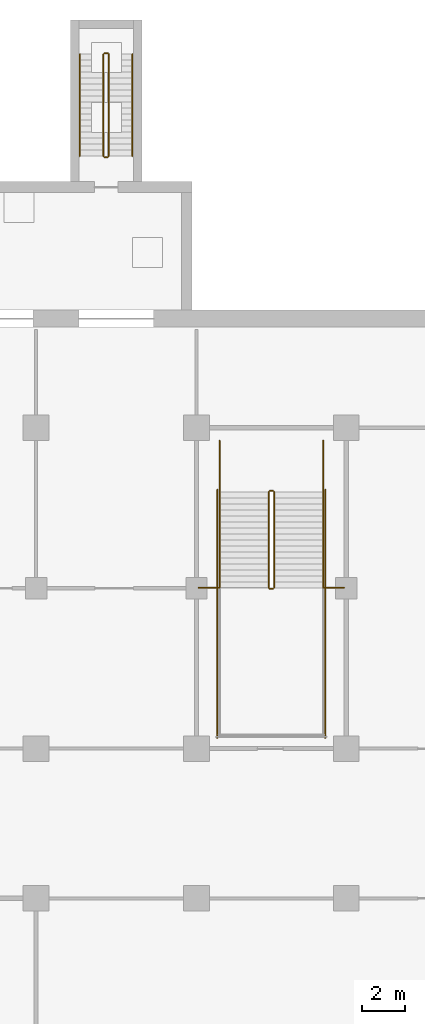
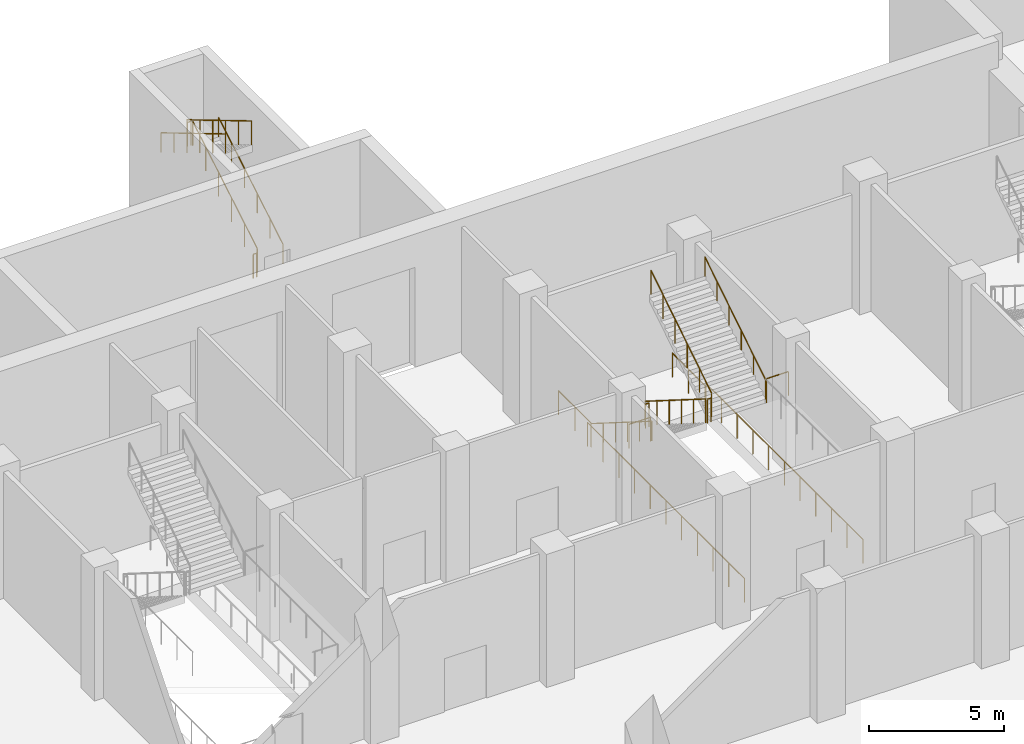
# One storey, part 36 of 45: 18 railings.
"""IFC4 building model written with IfcOpenShell, lengths in metres."""

from ifc_helpers import new_model, si_unit, direction, frame, origin, origin_2d, place, context, subcontext, project, spatial, circle, extrude, material, type_object, element, save


model = new_model("IFC4")

# Units and contexts
model_context = context("Model", 3, precision=1e-05, world=origin(), true_north=direction((0.0, 1.0)))
body_context = subcontext(model_context, "Body", "Model", "MODEL_VIEW")
ifc_project = project(units=[si_unit("LENGTHUNIT", "METRE"), si_unit("AREAUNIT", "SQUARE_METRE"), si_unit("VOLUMEUNIT", "CUBIC_METRE"), si_unit("PLANEANGLEUNIT", "RADIAN"), si_unit("MASSUNIT", "GRAM", prefix="KILO")], contexts=[model_context])

# Site, building, storey
site_placement = place(None, origin())
site = spatial("IfcSite", under=ifc_project, at=site_placement, CompositionType="ELEMENT")
building_placement = place(site_placement, origin())
building = spatial("IfcBuilding", under=site, at=building_placement, Name="Tamorin Gate", CompositionType="ELEMENT")
storey_placement = place(building_placement, frame((0.0, 0.0, -6.0)))
storey = spatial("IfcBuildingStorey", under=building, at=storey_placement, Name="B1", CompositionType="ELEMENT", Elevation=-6.0)

# Railings
ifc_material_1 = material(Name="Steel", Category="steel")
railing_type_1 = type_object("IfcRailingType", Name="Podium guard 1100", PredefinedType="GUARDRAIL", material=ifc_material_1)
railing_1_placement = place(storey_placement, frame((70.875, 109.0, 0.176513671875)))
element("IfcRailing", 1, at=railing_1_placement, inside=storey, type_object=railing_type_1, Name="B1 SB4 stair guard 1", PredefinedType="GUARDRAIL", context=body_context, shape_type="SweptSolid", body=[
    extrude(circle(Radius=0.02392578125, at=origin_2d()), frame((0.0, 0.0, 1.076171875), z_axis=(0.0, -0.845997938375, 0.533186166611), x_axis=(1.0, 0.0, 0.0)), (0.0, 0.0, 1.0), 5.29541015625),
    extrude(circle(Radius=0.02099609375, at=origin_2d()), origin(), (0.0, 0.0, 1.0), 1.052001953125),
    extrude(circle(Radius=0.02099609375, at=origin_2d()), frame((0.0, -0.89599609375, 0.564697265625)), (0.0, 0.0, 1.0), 1.052001953125),
    extrude(circle(Radius=0.02099609375, at=origin_2d()), frame((0.0, -1.7919921875, 1.12939453125)), (0.0, 0.0, 1.0), 1.052001953125),
    extrude(circle(Radius=0.02099609375, at=origin_2d()), frame((0.0, -2.68798828125, 1.694091796875)), (0.0, 0.0, 1.0), 1.052001953125),
    extrude(circle(Radius=0.02099609375, at=origin_2d()), frame((0.0, -3.583984375, 2.2587890625)), (0.0, 0.0, 1.0), 1.052001953125),
    extrude(circle(Radius=0.02099609375, at=origin_2d()), frame((0.0, -4.47998046875, 2.823486328125)), (0.0, 0.0, 1.0), 1.052001953125),
])
railing_2_placement = place(storey_placement, frame((70.925048828125, 104.469970703125, 3.0)))
element("IfcRailing", 2, at=railing_2_placement, inside=storey, type_object=railing_type_1, Name="B1 SB4 stair guard 2", PredefinedType="GUARDRAIL", context=body_context, shape_type="SweptSolid", body=[
    extrude(circle(Radius=0.02392578125, at=origin_2d()), frame((0.0, 0.0, 1.076171875), z_axis=(1.0, 0.0, 0.0), x_axis=(0.0, 1.0, 0.0)), (0.0, 0.0, 1.0), 0.14990234375),
    extrude(circle(Radius=0.02099609375, at=origin_2d()), origin(), (0.0, 0.0, 1.0), 1.052001953125),
    extrude(circle(Radius=0.02099609375, at=origin_2d()), frame((0.14990234375, 0.0, 0.0)), (0.0, 0.0, 1.0), 1.052001953125),
])
railing_3_placement = place(storey_placement, frame((71.125, 104.52001953125, 3.176513671875)))
element("IfcRailing", 3, at=railing_3_placement, inside=storey, type_object=railing_type_1, Name="B1 SB4 stair guard 6", PredefinedType="GUARDRAIL", context=body_context, shape_type="SweptSolid", body=[
    extrude(circle(Radius=0.02392578125, at=origin_2d()), frame((0.0, 0.0, 1.076171875), z_axis=(0.0, 0.845997938375, 0.533186166611), x_axis=(-1.0, 0.0, 0.0)), (0.0, 0.0, 1.0), 5.29541015625),
    extrude(circle(Radius=0.02099609375, at=origin_2d()), origin(), (0.0, 0.0, 1.0), 1.052001953125),
    extrude(circle(Radius=0.02099609375, at=origin_2d()), frame((0.0, 0.89599609375, 0.564697265625)), (0.0, 0.0, 1.0), 1.052001953125),
    extrude(circle(Radius=0.02099609375, at=origin_2d()), frame((0.0, 1.7919921875, 1.12939453125)), (0.0, 0.0, 1.0), 1.052001953125),
    extrude(circle(Radius=0.02099609375, at=origin_2d()), frame((0.0, 2.68798828125, 1.694091796875)), (0.0, 0.0, 1.0), 1.052001953125),
    extrude(circle(Radius=0.02099609375, at=origin_2d()), frame((0.0, 3.583984375, 2.2587890625)), (0.0, 0.0, 1.0), 1.052001953125),
    extrude(circle(Radius=0.02099609375, at=origin_2d()), frame((0.0, 4.47998046875, 2.823486328125)), (0.0, 0.0, 1.0), 1.052001953125),
])
railing_4_placement = place(storey_placement, frame((70.925048828125, 109.050048828125, 0.0)))
element("IfcRailing", 4, at=railing_4_placement, inside=storey, type_object=railing_type_1, Name="B1 SB4 stair guard 7", PredefinedType="GUARDRAIL", context=body_context, shape_type="SweptSolid", body=[
    extrude(circle(Radius=0.02392578125, at=origin_2d()), frame((0.0, 0.0, 1.076171875), z_axis=(1.0, 0.0, 0.0), x_axis=(0.0, 1.0, 0.0)), (0.0, 0.0, 1.0), 0.14990234375),
    extrude(circle(Radius=0.02099609375, at=origin_2d()), origin(), (0.0, 0.0, 1.0), 1.052001953125),
    extrude(circle(Radius=0.02099609375, at=origin_2d()), frame((0.14990234375, 0.0, 0.0)), (0.0, 0.0, 1.0), 1.052001953125),
])
for number, where, name in (
    (5, (68.574951171875, 111.39990234375, 0.0), "B1 SB4 stair guard 8"),
    (6, (73.425048828125, 111.39990234375, 0.0), "B1 SB4 stair guard 9"),
):
    element("IfcRailing", number, at=place(storey_placement, frame(where)), inside=storey, type_object=railing_type_1, Name=name, PredefinedType="GUARDRAIL", context=body_context, shape_type="SweptSolid", body=[
        extrude(circle(Radius=0.02392578125, at=origin_2d()), frame((0.0, 0.0, 1.076171875), z_axis=(0.0, -1.0, 0.0), x_axis=(1.0, 0.0, 0.0)), (0.0, 0.0, 1.0), 2.39990234375),
        extrude(circle(Radius=0.02099609375, at=origin_2d()), origin(), (0.0, 0.0, 1.0), 1.052001953125),
        extrude(circle(Radius=0.02099609375, at=origin_2d()), frame((0.0, -1.199951171875, 0.0)), (0.0, 0.0, 1.0), 1.052001953125),
        extrude(circle(Radius=0.02099609375, at=origin_2d()), frame((0.0, -2.39990234375, 0.0)), (0.0, 0.0, 1.0), 1.052001953125),
    ])
for number, where, name in (
    (7, (68.47509765625, 109.10009765625, 0.0), "B1 SB4 stair guard 10"),
    (8, (73.52490234375, 109.10009765625, 0.0), "B1 SB4 stair guard 11"),
):
    element("IfcRailing", number, at=place(storey_placement, frame(where)), inside=storey, type_object=railing_type_1, Name=name, PredefinedType="GUARDRAIL", context=body_context, shape_type="SweptSolid", body=[
        extrude(circle(Radius=0.02392578125, at=origin_2d()), frame((0.0, 0.0, 1.076171875), z_axis=(0.0, -1.0, 0.0), x_axis=(1.0, 0.0, 0.0)), (0.0, 0.0, 1.0), 11.60009765625),
        extrude(circle(Radius=0.02099609375, at=origin_2d()), origin(), (0.0, 0.0, 1.0), 1.052001953125),
        extrude(circle(Radius=0.02099609375, at=origin_2d()), frame((0.0, -1.159912109375, 0.0)), (0.0, 0.0, 1.0), 1.052001953125),
        extrude(circle(Radius=0.02099609375, at=origin_2d()), frame((0.0, -2.320068359375, 0.0)), (0.0, 0.0, 1.0), 1.052001953125),
        extrude(circle(Radius=0.02099609375, at=origin_2d()), frame((0.0, -3.47998046875, 0.0)), (0.0, 0.0, 1.0), 1.052001953125),
        extrude(circle(Radius=0.02099609375, at=origin_2d()), frame((0.0, -4.64013671875, 0.0)), (0.0, 0.0, 1.0), 1.052001953125),
        extrude(circle(Radius=0.02099609375, at=origin_2d()), frame((0.0, -5.800048828125, 0.0)), (0.0, 0.0, 1.0), 1.052001953125),
        extrude(circle(Radius=0.02099609375, at=origin_2d()), frame((0.0, -6.9599609375, 0.0)), (0.0, 0.0, 1.0), 1.052001953125),
        extrude(circle(Radius=0.02099609375, at=origin_2d()), frame((0.0, -8.1201171875, 0.0)), (0.0, 0.0, 1.0), 1.052001953125),
        extrude(circle(Radius=0.02099609375, at=origin_2d()), frame((0.0, -9.280029296875, 0.0)), (0.0, 0.0, 1.0), 1.052001953125),
        extrude(circle(Radius=0.02099609375, at=origin_2d()), frame((0.0, -10.440185546875, 0.0)), (0.0, 0.0, 1.0), 1.052001953125),
        extrude(circle(Radius=0.02099609375, at=origin_2d()), frame((0.0, -11.60009765625, 0.0)), (0.0, 0.0, 1.0), 1.052001953125),
    ])
for number, where, name in (
    (9, (67.60009765625, 104.52001953125, 3.0), "Landing edge guard"),
    (10, (73.47509765625, 104.52001953125, 3.0), "Landing edge guard"),
):
    element("IfcRailing", number, at=place(storey_placement, frame(where)), inside=storey, type_object=railing_type_1, Name=name, PredefinedType="GUARDRAIL", context=body_context, shape_type="SweptSolid", body=[
        extrude(circle(Radius=0.02392578125, at=origin_2d()), frame((0.0, 0.0, 1.076171875), z_axis=(1.0, 0.0, 0.0), x_axis=(0.0, 1.0, 0.0)), (0.0, 0.0, 1.0), 0.9248046875),
        extrude(circle(Radius=0.02099609375, at=origin_2d()), origin(), (0.0, 0.0, 1.0), 1.052001953125),
        extrude(circle(Radius=0.02099609375, at=origin_2d()), frame((0.9248046875, 0.0, 0.0)), (0.0, 0.0, 1.0), 1.052001953125),
    ])
railing_type_2 = type_object("IfcRailingType", Name="Podium stair handrail 900", PredefinedType="HANDRAIL", material=ifc_material_1)
railing_5_placement = place(storey_placement, frame((68.574951171875, 109.0, 0.176513671875)))
element("IfcRailing", 11, at=railing_5_placement, inside=storey, type_object=railing_type_2, Name="B1 SB4 stair handrail 1", PredefinedType="HANDRAIL", context=body_context, shape_type="SweptSolid", body=[
    extrude(circle(Radius=0.02392578125, at=origin_2d()), frame((0.0, 0.0, 0.8759765625), z_axis=(0.0, -0.845997938375, 0.533186166611), x_axis=(1.0, 0.0, 0.0)), (0.0, 0.0, 1.0), 5.29541015625),
    extrude(circle(Radius=0.02099609375, at=origin_2d()), origin(), (0.0, 0.0, 1.0), 0.851806640625),
    extrude(circle(Radius=0.02099609375, at=origin_2d()), frame((0.0, -0.89599609375, 0.564697265625)), (0.0, 0.0, 1.0), 0.851806640625),
    extrude(circle(Radius=0.02099609375, at=origin_2d()), frame((0.0, -1.7919921875, 1.12939453125)), (0.0, 0.0, 1.0), 0.851806640625),
    extrude(circle(Radius=0.02099609375, at=origin_2d()), frame((0.0, -2.68798828125, 1.694091796875)), (0.0, 0.0, 1.0), 0.851806640625),
    extrude(circle(Radius=0.02099609375, at=origin_2d()), frame((0.0, -3.583984375, 2.2587890625)), (0.0, 0.0, 1.0), 0.851806640625),
    extrude(circle(Radius=0.02099609375, at=origin_2d()), frame((0.0, -4.47998046875, 2.823486328125)), (0.0, 0.0, 1.0), 0.851806640625),
])
railing_6_placement = place(storey_placement, frame((73.425048828125, 104.52001953125, 3.176513671875)))
element("IfcRailing", 12, at=railing_6_placement, inside=storey, type_object=railing_type_2, Name="B1 SB4 stair handrail 2", PredefinedType="HANDRAIL", context=body_context, shape_type="SweptSolid", body=[
    extrude(circle(Radius=0.02392578125, at=origin_2d()), frame((0.0, 0.0, 0.8759765625), z_axis=(0.0, 0.845997938375, 0.533186166611), x_axis=(-1.0, 0.0, 0.0)), (0.0, 0.0, 1.0), 5.29541015625),
    extrude(circle(Radius=0.02099609375, at=origin_2d()), origin(), (0.0, 0.0, 1.0), 0.851806640625),
    extrude(circle(Radius=0.02099609375, at=origin_2d()), frame((0.0, 0.89599609375, 0.564697265625)), (0.0, 0.0, 1.0), 0.851806640625),
    extrude(circle(Radius=0.02099609375, at=origin_2d()), frame((0.0, 1.7919921875, 1.12939453125)), (0.0, 0.0, 1.0), 0.851806640625),
    extrude(circle(Radius=0.02099609375, at=origin_2d()), frame((0.0, 2.68798828125, 1.694091796875)), (0.0, 0.0, 1.0), 0.851806640625),
    extrude(circle(Radius=0.02099609375, at=origin_2d()), frame((0.0, 3.583984375, 2.2587890625)), (0.0, 0.0, 1.0), 0.851806640625),
    extrude(circle(Radius=0.02099609375, at=origin_2d()), frame((0.0, 4.47998046875, 2.823486328125)), (0.0, 0.0, 1.0), 0.851806640625),
])
ifc_material_2 = material(Name="Steel, galvanised", Category="steel")
railing_type_3 = type_object("IfcRailingType", Name="Steel guard 1100", PredefinedType="GUARDRAIL", material=ifc_material_2)
railing_7_placement = place(storey_placement, frame((63.39990234375, 124.699951171875, 0.166748046875)))
element("IfcRailing", 13, at=railing_7_placement, inside=storey, type_object=railing_type_3, Name="B1 SB10 stair guard 1", PredefinedType="GUARDRAIL", context=body_context, shape_type="SweptSolid", body=[
    extrude(circle(Radius=0.02392578125, at=origin_2d()), frame((0.0, 0.0, 1.076171875), z_axis=(0.0, 0.859299802514, 0.511472237174), x_axis=(-1.0, 0.0, 0.0)), (0.0, 0.0, 1.0), 5.539306640625),
    extrude(circle(Radius=0.02099609375, at=origin_2d()), origin(), (0.0, 0.0, 1.0), 1.052001953125),
    extrude(circle(Radius=0.02099609375, at=origin_2d()), frame((0.0, 0.951904296875, 0.566650390625)), (0.0, 0.0, 1.0), 1.052001953125),
    extrude(circle(Radius=0.02099609375, at=origin_2d()), frame((0.0, 1.904052734375, 1.13330078125)), (0.0, 0.0, 1.0), 1.052001953125),
    extrude(circle(Radius=0.02099609375, at=origin_2d()), frame((0.0, 2.85595703125, 1.699951171875)), (0.0, 0.0, 1.0), 1.052001953125),
    extrude(circle(Radius=0.02099609375, at=origin_2d()), frame((0.0, 3.80810546875, 2.2666015625)), (0.0, 0.0, 1.0), 1.052001953125),
    extrude(circle(Radius=0.02099609375, at=origin_2d()), frame((0.0, 4.760009765625, 2.833251953125)), (0.0, 0.0, 1.0), 1.052001953125),
])
railing_8_placement = place(storey_placement, frame((63.35009765625, 129.510009765625, 3.0)))
element("IfcRailing", 14, at=railing_8_placement, inside=storey, type_object=railing_type_3, Name="B1 SB10 stair guard 2", PredefinedType="GUARDRAIL", context=body_context, shape_type="SweptSolid", body=[
    extrude(circle(Radius=0.02392578125, at=origin_2d()), frame((0.0, 0.0, 1.076171875), z_axis=(-1.0, 0.0, 0.0), x_axis=(0.0, -1.0, 0.0)), (0.0, 0.0, 1.0), 0.150146484375),
    extrude(circle(Radius=0.02099609375, at=origin_2d()), origin(), (0.0, 0.0, 1.0), 1.052001953125),
    extrude(circle(Radius=0.02099609375, at=origin_2d()), frame((-0.150146484375, 0.0, 0.0)), (0.0, 0.0, 1.0), 1.052001953125),
])
railing_9_placement = place(storey_placement, frame((63.14990234375, 129.4599609375, 3.166748046875)))
element("IfcRailing", 15, at=railing_9_placement, inside=storey, type_object=railing_type_3, Name="B1 SB10 stair guard 3", PredefinedType="GUARDRAIL", context=body_context, shape_type="SweptSolid", body=[
    extrude(circle(Radius=0.02392578125, at=origin_2d()), frame((0.0, 0.0, 1.076171875), z_axis=(0.0, -0.859299802514, 0.511472237174), x_axis=(1.0, 0.0, 0.0)), (0.0, 0.0, 1.0), 5.539306640625),
    extrude(circle(Radius=0.02099609375, at=origin_2d()), origin(), (0.0, 0.0, 1.0), 1.052001953125),
    extrude(circle(Radius=0.02099609375, at=origin_2d()), frame((0.0, -0.951904296875, 0.566650390625)), (0.0, 0.0, 1.0), 1.052001953125),
    extrude(circle(Radius=0.02099609375, at=origin_2d()), frame((0.0, -1.904052734375, 1.13330078125)), (0.0, 0.0, 1.0), 1.052001953125),
    extrude(circle(Radius=0.02099609375, at=origin_2d()), frame((0.0, -2.85595703125, 1.699951171875)), (0.0, 0.0, 1.0), 1.052001953125),
    extrude(circle(Radius=0.02099609375, at=origin_2d()), frame((0.0, -3.80810546875, 2.2666015625)), (0.0, 0.0, 1.0), 1.052001953125),
    extrude(circle(Radius=0.02099609375, at=origin_2d()), frame((0.0, -4.760009765625, 2.833251953125)), (0.0, 0.0, 1.0), 1.052001953125),
])
railing_10_placement = place(storey_placement, frame((63.35009765625, 124.64990234375, 0.0)))
element("IfcRailing", 16, at=railing_10_placement, inside=storey, type_object=railing_type_3, Name="B1 SB10 stair guard 4", PredefinedType="GUARDRAIL", context=body_context, shape_type="SweptSolid", body=[
    extrude(circle(Radius=0.02392578125, at=origin_2d()), frame((0.0, 0.0, 1.076171875), z_axis=(-1.0, 0.0, 0.0), x_axis=(0.0, -1.0, 0.0)), (0.0, 0.0, 1.0), 0.150146484375),
    extrude(circle(Radius=0.02099609375, at=origin_2d()), origin(), (0.0, 0.0, 1.0), 1.052001953125),
    extrude(circle(Radius=0.02099609375, at=origin_2d()), frame((-0.150146484375, 0.0, 0.0)), (0.0, 0.0, 1.0), 1.052001953125),
])
railing_type_4 = type_object("IfcRailingType", Name="Steel handrail 900", PredefinedType="HANDRAIL", material=ifc_material_2)
railing_11_placement = place(storey_placement, frame((64.5, 124.699951171875, 0.166748046875)))
element("IfcRailing", 17, at=railing_11_placement, inside=storey, type_object=railing_type_4, Name="B1 SB10 stair handrail 1", PredefinedType="HANDRAIL", context=body_context, shape_type="SweptSolid", body=[
    extrude(circle(Radius=0.02392578125, at=origin_2d()), frame((0.0, 0.0, 0.8759765625), z_axis=(0.0, 0.859299802514, 0.511472237174), x_axis=(-1.0, 0.0, 0.0)), (0.0, 0.0, 1.0), 5.539306640625),
    extrude(circle(Radius=0.02099609375, at=origin_2d()), origin(), (0.0, 0.0, 1.0), 0.851806640625),
    extrude(circle(Radius=0.02099609375, at=origin_2d()), frame((0.0, 0.951904296875, 0.566650390625)), (0.0, 0.0, 1.0), 0.851806640625),
    extrude(circle(Radius=0.02099609375, at=origin_2d()), frame((0.0, 1.904052734375, 1.13330078125)), (0.0, 0.0, 1.0), 0.851806640625),
    extrude(circle(Radius=0.02099609375, at=origin_2d()), frame((0.0, 2.85595703125, 1.699951171875)), (0.0, 0.0, 1.0), 0.851806640625),
    extrude(circle(Radius=0.02099609375, at=origin_2d()), frame((0.0, 3.80810546875, 2.2666015625)), (0.0, 0.0, 1.0), 0.851806640625),
    extrude(circle(Radius=0.02099609375, at=origin_2d()), frame((0.0, 4.760009765625, 2.833251953125)), (0.0, 0.0, 1.0), 0.851806640625),
])
railing_12_placement = place(storey_placement, frame((62.050048828125, 129.4599609375, 3.166748046875)))
element("IfcRailing", 18, at=railing_12_placement, inside=storey, type_object=railing_type_4, Name="B1 SB10 stair handrail 2", PredefinedType="HANDRAIL", context=body_context, shape_type="SweptSolid", body=[
    extrude(circle(Radius=0.02392578125, at=origin_2d()), frame((0.0, 0.0, 0.8759765625), z_axis=(0.0, -0.859299802514, 0.511472237174), x_axis=(1.0, 0.0, 0.0)), (0.0, 0.0, 1.0), 5.539306640625),
    extrude(circle(Radius=0.02099609375, at=origin_2d()), origin(), (0.0, 0.0, 1.0), 0.851806640625),
    extrude(circle(Radius=0.02099609375, at=origin_2d()), frame((0.0, -0.951904296875, 0.566650390625)), (0.0, 0.0, 1.0), 0.851806640625),
    extrude(circle(Radius=0.02099609375, at=origin_2d()), frame((0.0, -1.904052734375, 1.13330078125)), (0.0, 0.0, 1.0), 0.851806640625),
    extrude(circle(Radius=0.02099609375, at=origin_2d()), frame((0.0, -2.85595703125, 1.699951171875)), (0.0, 0.0, 1.0), 0.851806640625),
    extrude(circle(Radius=0.02099609375, at=origin_2d()), frame((0.0, -3.80810546875, 2.2666015625)), (0.0, 0.0, 1.0), 0.851806640625),
    extrude(circle(Radius=0.02099609375, at=origin_2d()), frame((0.0, -4.760009765625, 2.833251953125)), (0.0, 0.0, 1.0), 0.851806640625),
])

save(model, "model.ifc")
